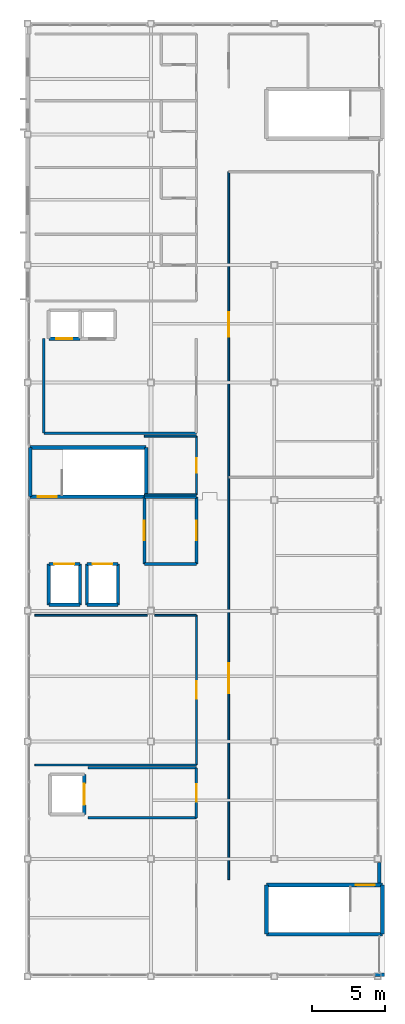
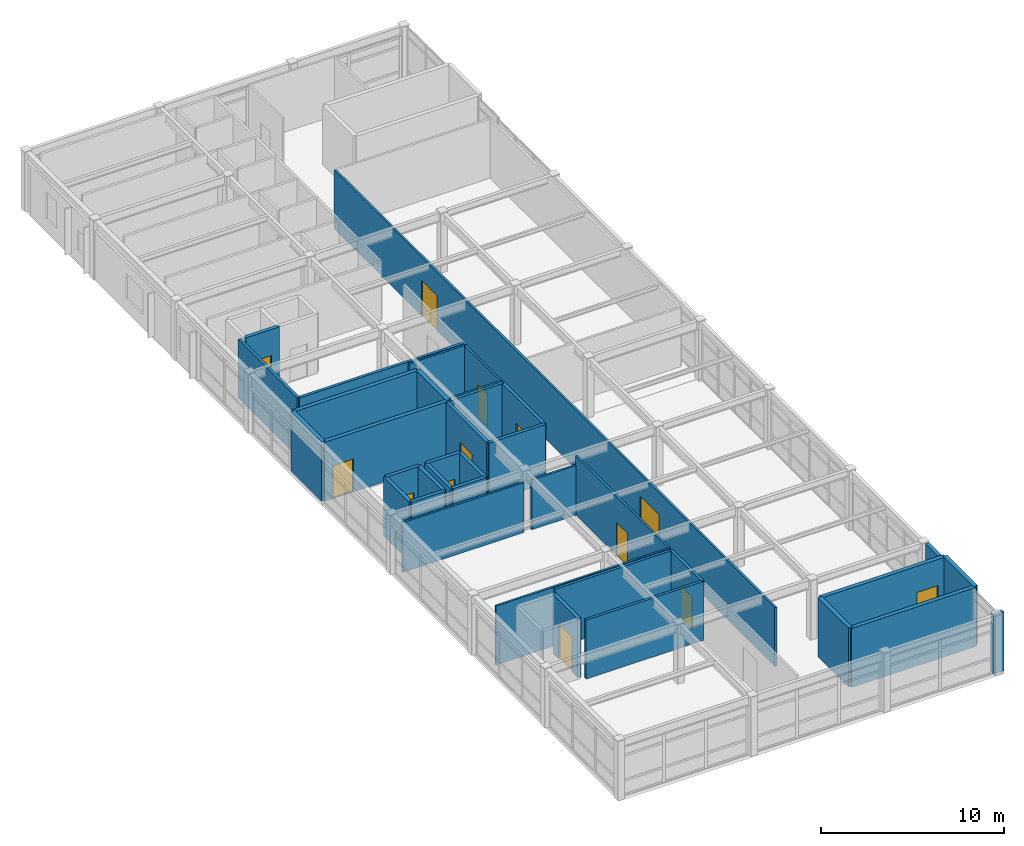
# One storey, part 31 of 34: 37 walls, 13 doors, 13 openings.
"""IFC4 building model written with IfcOpenShell, lengths in metres."""

from ifc_helpers import new_model, si_unit, direction, frame, frame_2d, origin, place, context, subcontext, project, spatial, rectangle, extrude, material, layer, layer_set, type_object, element, fill, save


model = new_model("IFC4")

# Units and contexts
model_context = context("Model", 3, precision=1e-05, world=origin(), true_north=direction((0.0, 1.0)))
body_context = subcontext(model_context, "Body", "Model", "MODEL_VIEW")
ifc_project = project(units=[si_unit("LENGTHUNIT", "METRE"), si_unit("AREAUNIT", "SQUARE_METRE"), si_unit("VOLUMEUNIT", "CUBIC_METRE"), si_unit("PLANEANGLEUNIT", "RADIAN"), si_unit("MASSUNIT", "GRAM", prefix="KILO")], contexts=[model_context])

# Site, building, storey
site_placement = place(None, origin())
site = spatial("IfcSite", under=ifc_project, at=site_placement, CompositionType="ELEMENT")
building_placement = place(site_placement, origin())
building = spatial("IfcBuilding", under=site, at=building_placement, Name="Kazehara Bluff Congress Hotel", CompositionType="ELEMENT")
storey_placement = place(building_placement, frame((0.0, 0.0, 46.199951171875)))
storey = spatial("IfcBuildingStorey", under=building, at=storey_placement, Name="L11", CompositionType="ELEMENT", Elevation=46.199951171875)

# Walls
ifc_material_1 = material(Name="Concrete C40/50", Category="concrete")
ifc_layer_1 = layer(ifc_material_1, 0.25)
ifc_layer_set_1 = layer_set([ifc_layer_1], Name="Concrete C40/50")
wall_type_1 = type_object("IfcWallType", Name="TP-CW-RC", PredefinedType="SHEAR", material=ifc_layer_set_1)
for number, where, z_axis, x_axis, name in (
    (1, (167.875, 22.22509765625, 0.0), (0.0, 0.0, 1.0), (0.0, -1.0, 0.0), "L11 ST-10 core wall near"),
    (2, (159.97509765625, 18.875, 0.0), (0.0, 0.0, 1.0), (0.0, 1.0, 0.0), "L11 ST-10 core wall far"),
):
    element("IfcWall", number, at=place(storey_placement, frame(where, z_axis=z_axis, x_axis=x_axis)), inside=storey, type_object=wall_type_1, Name=name, PredefinedType="SHEAR", context=body_context, shape_type="SweptSolid", body=[
        extrude(rectangle(XDim=3.35009765625, YDim=0.25, at=frame_2d((1.675048828125, 0.0))), origin(), (0.0, 0.0, 1.0), 3.949951171875),
    ])

# Wall, opening, door
wall_1_placement = place(storey_placement, frame((159.97509765625, 22.22509765625, 0.0), z_axis=(0.0, 0.0, 1.0), x_axis=(1.0, 0.0, 0.0)))
wall_1 = element("IfcWall", 3, at=wall_1_placement, inside=storey, type_object=wall_type_1, Name="L11 ST-10 core wall left", PredefinedType="SHEAR", context=body_context, shape_type="SweptSolid", body=[
    extrude(rectangle(XDim=7.89990234375, YDim=0.25, at=frame_2d((3.949951171875, 0.0))), origin(), (0.0, 0.0, 1.0), 3.949951171875),
])
opening_1_placement = place(wall_1_placement, frame((6.074951171875, 0.0, 0.0)))
opening_1 = element("IfcOpeningElement", 4, at=opening_1_placement, cuts=wall_1, Name="Opening FD-01", PredefinedType="OPENING", context=body_context, shape_type="SweptSolid", body=[
    extrude(rectangle(XDim=1.300048828125, YDim=2.199951171875, at=frame_2d((0.64990234375, 1.10009765625))), frame((0.0, 0.135009765625, 0.0), z_axis=(0.0, -1.0, 0.0), x_axis=(1.0, 0.0, 0.0)), (0.0, 0.0, 1.0), 0.27001953125),
])
ifc_material_2 = material(Name="Fire-rated painted steel leaf", Category="steel")
door_type_1 = type_object("IfcDoorType", Name="TP-FD-01", OperationType="NOTDEFINED", PredefinedType="DOOR", material=ifc_material_2)
door_1_placement = place(opening_1_placement, origin())
door_1 = element("IfcDoor", 5, at=door_1_placement, inside=storey, type_object=door_type_1, Name="L11 ST-10 fire stair door", OperationType="SINGLE_SWING_LEFT", OverallHeight=2.199951171875, OverallWidth=1.300048828125, PredefinedType="DOOR", context=body_context, shape_type="SweptSolid", body=[
    extrude(rectangle(XDim=1.300048828125, YDim=2.199951171875, at=frame_2d((0.64990234375, 1.10009765625))), frame((0.0, 0.02490234375, 0.0), z_axis=(0.0, -1.0, 0.0), x_axis=(1.0, 0.0, 0.0)), (0.0, 0.0, 1.0), 0.050048828125),
])
fill(opening_1, door_1)

# Walls
wall_2_placement = place(storey_placement, frame((167.875, 18.875, 0.0), z_axis=(0.0, 0.0, 1.0), x_axis=(-1.0, 0.0, 0.0)))
element("IfcWall", 6, at=wall_2_placement, inside=storey, type_object=wall_type_1, Name="L11 ST-10 core wall right", PredefinedType="SHEAR", context=body_context, shape_type="SweptSolid", body=[
    extrude(rectangle(XDim=7.89990234375, YDim=0.25, at=frame_2d((3.949951171875, 0.0))), origin(), (0.0, 0.0, 1.0), 3.949951171875),
])
for number, where, z_axis, x_axis, name in (
    (7, (143.875, 48.675048828125, 0.0), (0.0, 0.0, 1.0), (0.0, 1.0, 0.0), "L11 ST-11 core wall near"),
    (8, (151.77490234375, 52.02490234375, 0.0), (0.0, 0.0, 1.0), (0.0, -1.0, 0.0), "L11 ST-11 core wall far"),
):
    element("IfcWall", number, at=place(storey_placement, frame(where, z_axis=z_axis, x_axis=x_axis)), inside=storey, type_object=wall_type_1, Name=name, PredefinedType="SHEAR", context=body_context, shape_type="SweptSolid", body=[
        extrude(rectangle(XDim=3.349853515625, YDim=0.25, at=frame_2d((1.6748046875, 0.0))), origin(), (0.0, 0.0, 1.0), 3.949951171875),
    ])

# Wall, opening, door
wall_3_placement = place(storey_placement, frame((151.77490234375, 48.675048828125, 0.0), z_axis=(0.0, 0.0, 1.0), x_axis=(-1.0, 0.0, 0.0)))
wall_3 = element("IfcWall", 9, at=wall_3_placement, inside=storey, type_object=wall_type_1, Name="L11 ST-11 core wall left", PredefinedType="SHEAR", context=body_context, shape_type="SweptSolid", body=[
    extrude(rectangle(XDim=7.89990234375, YDim=0.25, at=frame_2d((3.949951171875, 0.0))), origin(), (0.0, 0.0, 1.0), 3.949951171875),
])
opening_2_placement = place(wall_3_placement, frame((6.074951171875, 0.0, 0.0)))
opening_2 = element("IfcOpeningElement", 10, at=opening_2_placement, cuts=wall_3, Name="Opening FD-01", PredefinedType="OPENING", context=body_context, shape_type="SweptSolid", body=[
    extrude(rectangle(XDim=1.300048828125, YDim=2.199951171875, at=frame_2d((0.64990234375, 1.10009765625))), frame((0.0, 0.135009765625, 0.0), z_axis=(0.0, -1.0, 0.0), x_axis=(1.0, 0.0, 0.0)), (0.0, 0.0, 1.0), 0.27001953125),
])
door_2_placement = place(opening_2_placement, origin())
door_2 = element("IfcDoor", 11, at=door_2_placement, inside=storey, type_object=door_type_1, Name="L11 ST-11 fire stair door", OperationType="SINGLE_SWING_RIGHT", OverallHeight=2.199951171875, OverallWidth=1.300048828125, PredefinedType="DOOR", context=body_context, shape_type="SweptSolid", body=[
    extrude(rectangle(XDim=1.300048828125, YDim=2.199951171875, at=frame_2d((0.64990234375, 1.10009765625))), frame((0.0, 0.02490234375, 0.0), z_axis=(0.0, -1.0, 0.0), x_axis=(1.0, 0.0, 0.0)), (0.0, 0.0, 1.0), 0.050048828125),
])
fill(opening_2, door_2)

# Walls
wall_4_placement = place(storey_placement, frame((143.875, 52.02490234375, 0.0), z_axis=(0.0, 0.0, 1.0), x_axis=(1.0, 0.0, 0.0)))
element("IfcWall", 12, at=wall_4_placement, inside=storey, type_object=wall_type_1, Name="L11 ST-11 core wall right", PredefinedType="SHEAR", context=body_context, shape_type="SweptSolid", body=[
    extrude(rectangle(XDim=7.89990234375, YDim=0.25, at=frame_2d((3.949951171875, 0.0))), origin(), (0.0, 0.0, 1.0), 3.949951171875),
])
ifc_material_3 = material(Name="Precast concrete C40/50", Category="concrete")
ifc_layer_2 = layer(ifc_material_3, 0.239990234375)
ifc_layer_set_2 = layer_set([ifc_layer_2], Name="Precast concrete C40/50")
wall_type_2 = type_object("IfcWallType", Name="TP-EW-240", PredefinedType="SOLIDWALL", material=ifc_layer_set_2)
wall_5_placement = place(storey_placement, frame((168.0, 16.10009765625, 0.0), z_axis=(0.0, 0.0, 1.0), x_axis=(-1.0, 0.0, 0.0)))
element("IfcWall", 13, at=wall_5_placement, inside=storey, type_object=wall_type_2, Name="L11 V5 perimeter spandrel pier 759", PredefinedType="SOLIDWALL", context=body_context, shape_type="SweptSolid", body=[
    extrude(rectangle(XDim=0.675048828125, YDim=0.239990234375, at=frame_2d((0.33740234375, 0.0))), origin(), (0.0, 0.0, 1.0), 3.93505859375),
])
wall_6_placement = place(storey_placement, frame((167.64990234375, 23.77490234375, 0.0), z_axis=(0.0, 0.0, 1.0), x_axis=(0.0, -1.0, 0.0)))
element("IfcWall", 14, at=wall_6_placement, inside=storey, type_object=wall_type_2, Name="L11 V5 perimeter spandrel pier 760", PredefinedType="SOLIDWALL", context=body_context, shape_type="SweptSolid", body=[
    extrude(rectangle(XDim=1.414794921875, YDim=0.239990234375, at=frame_2d((0.70751953125, 0.0))), origin(), (0.0, 0.0, 1.0), 3.93505859375),
])
ifc_material_4 = material(Name="Concrete C40/50", Category="concrete")
ifc_layer_3 = layer(ifc_material_4, 0.199951171875)
ifc_layer_set_3 = layer_set([ifc_layer_3], Name="Concrete C40/50")
wall_type_3 = type_object("IfcWallType", Name="TP-FW-RC", PredefinedType="SOLIDWALL", material=ifc_layer_set_3)
for number, where, z_axis, x_axis, name in (
    (15, (151.64990234375, 44.10009765625, 0.0), (0.0, 0.0, 1.0), (1.0, 0.0, 0.0), "L11 partition FW-RC 1421"),
    (16, (151.64990234375, 48.64990234375, 0.0), (0.0, 0.0, 1.0), (1.0, 0.0, 0.0), "L11 partition FW-RC 1422"),
):
    element("IfcWall", number, at=place(storey_placement, frame(where, z_axis=z_axis, x_axis=x_axis)), inside=storey, type_object=wall_type_3, Name=name, PredefinedType="SOLIDWALL", context=body_context, shape_type="SweptSolid", body=[
        extrude(rectangle(XDim=3.550048828125, YDim=0.199951171875, at=frame_2d((1.77490234375, 0.0))), origin(), (0.0, 0.0, 1.0), 3.93505859375),
    ])

# Wall, opening, door
wall_7_placement = place(storey_placement, frame((151.64990234375, 44.10009765625, 0.0), z_axis=(0.0, 0.0, 1.0), x_axis=(0.0, 1.0, 0.0)))
wall_7 = element("IfcWall", 17, at=wall_7_placement, inside=storey, type_object=wall_type_3, Name="L11 partition FW-RC 1439", PredefinedType="SOLIDWALL", context=body_context, shape_type="SweptSolid", body=[
    extrude(rectangle(XDim=4.5498046875, YDim=0.199951171875, at=frame_2d((2.27490234375, 0.0))), origin(), (0.0, 0.0, 1.0), 3.93505859375),
])
opening_3_placement = place(wall_7_placement, frame((1.625, 0.0, 0.0)))
opening_3 = element("IfcOpeningElement", 18, at=opening_3_placement, cuts=wall_7, Name="Opening FD-01", PredefinedType="OPENING", context=body_context, shape_type="SweptSolid", body=[
    extrude(rectangle(XDim=1.300048828125, YDim=2.199951171875, at=frame_2d((0.64990234375, 1.10009765625))), frame((0.0, 0.10986328125, 0.0), z_axis=(0.0, -1.0, 0.0), x_axis=(1.0, 0.0, 0.0)), (0.0, 0.0, 1.0), 0.219970703125),
])
door_3_placement = place(opening_3_placement, origin())
door_3 = element("IfcDoor", 19, at=door_3_placement, inside=storey, type_object=door_type_1, Name="L11 Emergency Firefighting Lobby door", OperationType="SINGLE_SWING_LEFT", OverallHeight=2.199951171875, OverallWidth=1.300048828125, PredefinedType="DOOR", context=body_context, shape_type="SweptSolid", body=[
    extrude(rectangle(XDim=1.300048828125, YDim=2.199951171875, at=frame_2d((0.64990234375, 1.10009765625))), frame((0.0, 0.02490234375, 0.0), z_axis=(0.0, -1.0, 0.0), x_axis=(1.0, 0.0, 0.0)), (0.0, 0.0, 1.0), 0.050048828125),
])
fill(opening_3, door_3)

wall_8_placement = place(storey_placement, frame((155.199951171875, 44.10009765625, 0.0), z_axis=(0.0, 0.0, 1.0), x_axis=(0.0, 1.0, 0.0)))
wall_8 = element("IfcWall", 20, at=wall_8_placement, inside=storey, type_object=wall_type_3, Name="L11 partition FW-RC 1447", PredefinedType="SOLIDWALL", context=body_context, shape_type="SweptSolid", body=[
    extrude(rectangle(XDim=4.5498046875, YDim=0.199951171875, at=frame_2d((2.27490234375, 0.0))), origin(), (0.0, 0.0, 1.0), 3.93505859375),
])
opening_4_placement = place(wall_8_placement, frame((1.625, 0.0, 0.0)))
opening_4 = element("IfcOpeningElement", 21, at=opening_4_placement, cuts=wall_8, Name="Opening FD-01", PredefinedType="OPENING", context=body_context, shape_type="SweptSolid", body=[
    extrude(rectangle(XDim=1.300048828125, YDim=2.199951171875, at=frame_2d((0.64990234375, 1.10009765625))), frame((0.0, 0.10986328125, 0.0), z_axis=(0.0, -1.0, 0.0), x_axis=(1.0, 0.0, 0.0)), (0.0, 0.0, 1.0), 0.219970703125),
])
door_4_placement = place(opening_4_placement, origin())
door_4 = element("IfcDoor", 22, at=door_4_placement, inside=storey, type_object=door_type_1, Name="L11 Smoke Vestibule Lobby door", OperationType="SINGLE_SWING_RIGHT", OverallHeight=2.199951171875, OverallWidth=1.300048828125, PredefinedType="DOOR", context=body_context, shape_type="SweptSolid", body=[
    extrude(rectangle(XDim=1.300048828125, YDim=2.199951171875, at=frame_2d((0.64990234375, 1.10009765625))), frame((0.0, 0.02490234375, 0.0), z_axis=(0.0, -1.0, 0.0), x_axis=(1.0, 0.0, 0.0)), (0.0, 0.0, 1.0), 0.050048828125),
])
fill(opening_4, door_4)

# Walls
ifc_material_5 = material(Name="Fire-rated gypsum board stud partition")
ifc_layer_4 = layer(ifc_material_5, 0.1298828125)
ifc_layer_set_4 = layer_set([ifc_layer_4], Name="Fire-rated gypsum board stud partition")
wall_type_4 = type_object("IfcWallType", Name="TP-PT-130", PredefinedType="PARTITIONING", material=ifc_layer_set_4)
wall_9_placement = place(storey_placement, frame((144.199951171875, 30.39990234375, 0.0), z_axis=(0.0, 0.0, 1.0), x_axis=(1.0, 0.0, 0.0)))
element("IfcWall", 23, at=wall_9_placement, inside=storey, type_object=wall_type_4, Name="L11 partition PT-130 1418", PredefinedType="PARTITIONING", context=body_context, shape_type="SweptSolid", body=[
    extrude(rectangle(XDim=11.0, YDim=0.1298828125, at=frame_2d((5.5, 0.0))), origin(), (0.0, 0.0, 1.0), 3.93505859375),
])
wall_10_placement = place(storey_placement, frame((144.199951171875, 40.60009765625, 0.0), z_axis=(0.0, 0.0, 1.0), x_axis=(1.0, 0.0, 0.0)))
element("IfcWall", 24, at=wall_10_placement, inside=storey, type_object=wall_type_4, Name="L11 partition PT-130 1419", PredefinedType="PARTITIONING", context=body_context, shape_type="SweptSolid", body=[
    extrude(rectangle(XDim=7.655029296875, YDim=0.1298828125, at=frame_2d((3.82763671875, 0.0))), origin(), (0.0, 0.0, 1.0), 3.324951171875),
])
wall_11_placement = place(storey_placement, frame((152.344970703125, 40.60009765625, 0.0), z_axis=(0.0, 0.0, 1.0), x_axis=(1.0, 0.0, 0.0)))
element("IfcWall", 25, at=wall_11_placement, inside=storey, type_object=wall_type_4, Name="L11 partition PT-130 1420", PredefinedType="PARTITIONING", context=body_context, shape_type="SweptSolid", body=[
    extrude(rectangle(XDim=2.85498046875, YDim=0.1298828125, at=frame_2d((1.427490234375, 0.0))), origin(), (0.0, 0.0, 1.0), 3.324951171875),
])
for number, where, z_axis, x_axis, name in (
    (26, (151.64990234375, 48.800048828125, 0.0), (0.0, 0.0, 1.0), (1.0, 0.0, 0.0), "L11 partition PT-130 1423"),
    (27, (151.64990234375, 52.800048828125, 0.0), (0.0, 0.0, 1.0), (1.0, 0.0, 0.0), "L11 partition PT-130 1425"),
):
    element("IfcWall", number, at=place(storey_placement, frame(where, z_axis=z_axis, x_axis=x_axis)), inside=storey, type_object=wall_type_4, Name=name, PredefinedType="PARTITIONING", context=body_context, shape_type="SweptSolid", body=[
        extrude(rectangle(XDim=3.550048828125, YDim=0.1298828125, at=frame_2d((1.77490234375, 0.0))), origin(), (0.0, 0.0, 1.0), 3.93505859375),
    ])

# Wall, opening, door
wall_12_placement = place(storey_placement, frame((155.199951171875, 30.39990234375, 0.0), z_axis=(0.0, 0.0, 1.0), x_axis=(0.0, 1.0, 0.0)))
wall_12 = element("IfcWall", 28, at=wall_12_placement, inside=storey, type_object=wall_type_4, Name="L11 partition PT-130 1446", PredefinedType="PARTITIONING", context=body_context, shape_type="SweptSolid", body=[
    extrude(rectangle(XDim=10.2001953125, YDim=0.1298828125, at=frame_2d((5.10009765625, 0.0))), origin(), (0.0, 0.0, 1.0), 3.93505859375),
])
opening_5_placement = place(wall_12_placement, frame((4.5, 0.0, 0.0)))
opening_5 = element("IfcOpeningElement", 29, at=opening_5_placement, cuts=wall_12, Name="Opening FD-02", PredefinedType="OPENING", context=body_context, shape_type="SweptSolid", body=[
    extrude(rectangle(XDim=1.199951171875, YDim=2.199951171875, at=frame_2d((0.60009765625, 1.10009765625))), frame((0.0, 0.074951171875, 0.0), z_axis=(0.0, -1.0, 0.0), x_axis=(1.0, 0.0, 0.0)), (0.0, 0.0, 1.0), 0.14990234375),
])
ifc_material_6 = material(Name="Fire-rated painted steel leaf", Category="steel")
door_type_2 = type_object("IfcDoorType", Name="TP-FD-02", OperationType="NOTDEFINED", PredefinedType="DOOR", material=ifc_material_6)
door_5_placement = place(opening_5_placement, origin())
door_5 = element("IfcDoor", 30, at=door_5_placement, inside=storey, type_object=door_type_2, Name="L11 Sky Restaurant Finishing Kitchen door", OperationType="SINGLE_SWING_RIGHT", OverallHeight=2.199951171875, OverallWidth=1.199951171875, PredefinedType="DOOR", context=body_context, shape_type="SweptSolid", body=[
    extrude(rectangle(XDim=1.199951171875, YDim=2.199951171875, at=frame_2d((0.60009765625, 1.10009765625))), frame((0.0, 0.02490234375, 0.0), z_axis=(0.0, -1.0, 0.0), x_axis=(1.0, 0.0, 0.0)), (0.0, 0.0, 1.0), 0.050048828125),
])
fill(opening_5, door_5)

wall_13_placement = place(storey_placement, frame((155.199951171875, 48.800048828125, 0.0), z_axis=(0.0, 0.0, 1.0), x_axis=(0.0, 1.0, 0.0)))
wall_13 = element("IfcWall", 31, at=wall_13_placement, inside=storey, type_object=wall_type_4, Name="L11 partition PT-130 1448", PredefinedType="PARTITIONING", context=body_context, shape_type="SweptSolid", body=[
    extrude(rectangle(XDim=4.0, YDim=0.1298828125, at=frame_2d((2.0, 0.0))), origin(), (0.0, 0.0, 1.0), 3.93505859375),
])
opening_6_placement = place(wall_13_placement, frame((1.5, 0.0, 0.0)))
opening_6 = element("IfcOpeningElement", 32, at=opening_6_placement, cuts=wall_13, Name="Opening ID-03", PredefinedType="OPENING", context=body_context, shape_type="SweptSolid", body=[
    extrude(rectangle(XDim=1.0, YDim=2.179931640625, at=frame_2d((0.5, 1.08984375))), frame((0.0, 0.074951171875, 0.0), z_axis=(0.0, -1.0, 0.0), x_axis=(1.0, 0.0, 0.0)), (0.0, 0.0, 1.0), 0.14990234375),
])
ifc_material_7 = material(Name="Architectural oak veneer leaf")
door_type_3 = type_object("IfcDoorType", Name="TP-ID-03", OperationType="NOTDEFINED", PredefinedType="DOOR", material=ifc_material_7)
door_6_placement = place(opening_6_placement, origin())
door_6 = element("IfcDoor", 33, at=door_6_placement, inside=storey, type_object=door_type_3, Name="L11 L11 Housekeeping and Linen Room door", OperationType="SINGLE_SWING_LEFT", OverallHeight=2.179931640625, OverallWidth=1.0, PredefinedType="DOOR", context=body_context, shape_type="SweptSolid", body=[
    extrude(rectangle(XDim=1.0, YDim=2.179931640625, at=frame_2d((0.5, 1.08984375))), frame((0.0, 0.02490234375, 0.0), z_axis=(0.0, -1.0, 0.0), x_axis=(1.0, 0.0, 0.0)), (0.0, 0.0, 1.0), 0.050048828125),
])
fill(opening_6, door_6)

# Wall, openings, doors
wall_14_placement = place(storey_placement, frame((157.39990234375, 22.60009765625, 0.0), z_axis=(0.0, 0.0, 1.0), x_axis=(0.0, 1.0, 0.0)))
wall_14 = element("IfcWall", 34, at=wall_14_placement, inside=storey, type_object=wall_type_4, Name="L11 partition PT-130 1451", PredefinedType="PARTITIONING", context=body_context, shape_type="SweptSolid", body=[
    extrude(rectangle(XDim=48.199951171875, YDim=0.1298828125, at=frame_2d((24.10009765625, 0.0))), origin(), (0.0, 0.0, 1.0), 3.93505859375),
])
opening_7_placement = place(wall_14_placement, frame((12.675048828125, 0.0, 0.0)))
opening_7 = element("IfcOpeningElement", 35, at=opening_7_placement, cuts=wall_14, Name="Opening AD-05", PredefinedType="OPENING", context=body_context, shape_type="SweptSolid", body=[
    extrude(rectangle(XDim=2.050048828125, YDim=2.449951171875, at=frame_2d((1.02490234375, 1.22509765625))), frame((0.0, 0.074951171875, 0.0), z_axis=(0.0, -1.0, 0.0), x_axis=(1.0, 0.0, 0.0)), (0.0, 0.0, 1.0), 0.14990234375),
])
opening_8_placement = place(wall_14_placement, frame((36.97509765625, 0.0, 0.0)))
opening_8 = element("IfcOpeningElement", 36, at=opening_8_placement, cuts=wall_14, Name="Opening AD-04", PredefinedType="OPENING", context=body_context, shape_type="SweptSolid", body=[
    extrude(rectangle(XDim=1.64990234375, YDim=2.35009765625, at=frame_2d((0.824951171875, 1.175048828125))), frame((0.0, 0.074951171875, 0.0), z_axis=(0.0, -1.0, 0.0), x_axis=(1.0, 0.0, 0.0)), (0.0, 0.0, 1.0), 0.14990234375),
])
ifc_material_8 = material(Name="Architectural oak veneer leaf")
door_type_4 = type_object("IfcDoorType", Name="TP-AD-04", OperationType="DOUBLE_DOOR_SINGLE_SWING", PredefinedType="DOOR", material=ifc_material_8)
door_7_placement = place(opening_8_placement, origin())
door_7 = element("IfcDoor", 37, at=door_7_placement, inside=storey, type_object=door_type_4, Name="L11 Panorama Bluff Sky Bar door", OperationType="DOUBLE_DOOR_SINGLE_SWING", OverallHeight=2.35009765625, OverallWidth=1.64990234375, PredefinedType="DOOR", context=body_context, shape_type="SweptSolid", body=[
    extrude(rectangle(XDim=1.64990234375, YDim=2.35009765625, at=frame_2d((0.824951171875, 1.175048828125))), frame((0.0, 0.02490234375, 0.0), z_axis=(0.0, -1.0, 0.0), x_axis=(1.0, 0.0, 0.0)), (0.0, 0.0, 1.0), 0.050048828125),
])
fill(opening_8, door_7)
ifc_material_9 = material(Name="Architectural oak veneer leaf")
door_type_5 = type_object("IfcDoorType", Name="TP-AD-05", OperationType="DOUBLE_DOOR_SINGLE_SWING", PredefinedType="DOOR", material=ifc_material_9)
door_8_placement = place(opening_7_placement, origin())
door_8 = element("IfcDoor", 38, at=door_8_placement, inside=storey, type_object=door_type_5, Name="L11 Uemachi Sky Specialty Restaurant door", OperationType="DOUBLE_DOOR_SINGLE_SWING", OverallHeight=2.449951171875, OverallWidth=2.050048828125, PredefinedType="DOOR", context=body_context, shape_type="SweptSolid", body=[
    extrude(rectangle(XDim=2.050048828125, YDim=2.449951171875, at=frame_2d((1.02490234375, 1.22509765625))), frame((0.0, 0.02490234375, 0.0), z_axis=(0.0, -1.0, 0.0), x_axis=(1.0, 0.0, 0.0)), (0.0, 0.0, 1.0), 0.050048828125),
])
fill(opening_7, door_8)

# Walls
ifc_material_10 = material(Name="Fire-rated gypsum board stud partition")
ifc_layer_5 = layer(ifc_material_10, 0.169921875)
ifc_layer_set_5 = layer_set([ifc_layer_5], Name="Fire-rated gypsum board stud partition")
wall_type_5 = type_object("IfcWallType", Name="TP-PT-180", PredefinedType="PARTITIONING", material=ifc_layer_set_5)
for number, where, z_axis, x_axis, name in (
    (39, (147.800048828125, 26.800048828125, 0.0), (0.0, 0.0, 1.0), (1.0, 0.0, 0.0), "L11 partition PT-180 1416"),
    (40, (147.800048828125, 30.199951171875, 0.0), (0.0, 0.0, 1.0), (1.0, 0.0, 0.0), "L11 partition PT-180 1417"),
):
    element("IfcWall", number, at=place(storey_placement, frame(where, z_axis=z_axis, x_axis=x_axis)), inside=storey, type_object=wall_type_5, Name=name, PredefinedType="PARTITIONING", context=body_context, shape_type="SweptSolid", body=[
        extrude(rectangle(XDim=7.39990234375, YDim=0.169921875, at=frame_2d((3.699951171875, 0.0))), origin(), (0.0, 0.0, 1.0), 3.93505859375),
    ])
wall_15_placement = place(storey_placement, frame((144.800048828125, 53.0, 0.0), z_axis=(0.0, 0.0, 1.0), x_axis=(1.0, 0.0, 0.0)))
element("IfcWall", 41, at=wall_15_placement, inside=storey, type_object=wall_type_5, Name="L11 partition PT-180 1426", PredefinedType="PARTITIONING", context=body_context, shape_type="SweptSolid", body=[
    extrude(rectangle(XDim=10.39990234375, YDim=0.169921875, at=frame_2d((5.199951171875, 0.0))), origin(), (0.0, 0.0, 1.0), 3.93505859375),
])
wall_16_placement = place(storey_placement, frame((144.800048828125, 53.0, 0.0), z_axis=(0.0, 0.0, 1.0), x_axis=(0.0, 1.0, 0.0)))
element("IfcWall", 42, at=wall_16_placement, inside=storey, type_object=wall_type_5, Name="L11 partition PT-180 1438", PredefinedType="PARTITIONING", context=body_context, shape_type="SweptSolid", body=[
    extrude(rectangle(XDim=6.449951171875, YDim=0.169921875, at=frame_2d((3.22509765625, 0.0))), origin(), (0.0, 0.0, 1.0), 3.93505859375),
])

# Wall, opening, door
wall_17_placement = place(storey_placement, frame((155.199951171875, 26.800048828125, 0.0), z_axis=(0.0, 0.0, 1.0), x_axis=(0.0, 1.0, 0.0)))
wall_17 = element("IfcWall", 43, at=wall_17_placement, inside=storey, type_object=wall_type_5, Name="L11 partition PT-180 1445", PredefinedType="PARTITIONING", context=body_context, shape_type="SweptSolid", body=[
    extrude(rectangle(XDim=3.39990234375, YDim=0.169921875, at=frame_2d((1.699951171875, 0.0))), origin(), (0.0, 0.0, 1.0), 3.93505859375),
])
opening_9_placement = place(wall_17_placement, frame((1.10009765625, 0.0, 0.0)))
opening_9 = element("IfcOpeningElement", 44, at=opening_9_placement, cuts=wall_17, Name="Opening FD-02", PredefinedType="OPENING", context=body_context, shape_type="SweptSolid", body=[
    extrude(rectangle(XDim=1.199951171875, YDim=2.199951171875, at=frame_2d((0.60009765625, 1.10009765625))), frame((0.0, 0.094970703125, 0.0), z_axis=(0.0, -1.0, 0.0), x_axis=(1.0, 0.0, 0.0)), (0.0, 0.0, 1.0), 0.18994140625),
])
door_9_placement = place(opening_9_placement, origin())
door_9 = element("IfcDoor", 45, at=door_9_placement, inside=storey, type_object=door_type_2, Name="L11 L11 Service Lift Lobby door", OperationType="SINGLE_SWING_RIGHT", OverallHeight=2.199951171875, OverallWidth=1.199951171875, PredefinedType="DOOR", context=body_context, shape_type="SweptSolid", body=[
    extrude(rectangle(XDim=1.199951171875, YDim=2.199951171875, at=frame_2d((0.60009765625, 1.10009765625))), frame((0.0, 0.02490234375, 0.0), z_axis=(0.0, -1.0, 0.0), x_axis=(1.0, 0.0, 0.0)), (0.0, 0.0, 1.0), 0.050048828125),
])
fill(opening_9, door_9)

ifc_material_11 = material(Name="Concrete C40/50", Category="concrete")
ifc_layer_6 = layer(ifc_material_11, 0.219970703125)
ifc_layer_set_6 = layer_set([ifc_layer_6], Name="Concrete C40/50")
wall_type_6 = type_object("IfcWallType", Name="TP-SW-RC", PredefinedType="SHEAR", material=ifc_layer_set_6)
wall_18_placement = place(storey_placement, frame((145.139892578125, 44.0849609375, 0.0), z_axis=(0.0, 0.0, 1.0), x_axis=(1.0, 0.0, 0.0)))
wall_18 = element("IfcWall", 46, at=wall_18_placement, inside=storey, type_object=wall_type_6, Name="L11 EL-E1 lift shaft wall +Y", PredefinedType="SHEAR", context=body_context, shape_type="SweptSolid", body=[
    extrude(rectangle(XDim=2.1201171875, YDim=0.219970703125, at=frame_2d((1.06005859375, 0.0))), origin(), (0.0, 0.0, 1.0), 3.949951171875),
])
opening_10_placement = place(wall_18_placement, frame((0.385009765625, 0.0, 0.0)))
opening_10 = element("IfcOpeningElement", 47, at=opening_10_placement, cuts=wall_18, Name="Opening LD-03", PredefinedType="OPENING", context=body_context, shape_type="SweptSolid", body=[
    extrude(rectangle(XDim=1.35009765625, YDim=2.300048828125, at=frame_2d((0.675048828125, 1.14990234375))), frame((0.0, 0.119873046875, 0.0), z_axis=(0.0, -1.0, 0.0), x_axis=(1.0, 0.0, 0.0)), (0.0, 0.0, 1.0), 0.239990234375),
])
ifc_material_12 = material(Name="Fire-rated painted steel leaf", Category="steel")
door_type_6 = type_object("IfcDoorType", Name="TP-LD-03", OperationType="SLIDING_TO_LEFT", PredefinedType="DOOR", material=ifc_material_12)
door_10_placement = place(opening_10_placement, origin())
door_10 = element("IfcDoor", 48, at=door_10_placement, inside=storey, type_object=door_type_6, Name="L11 EL-E1 elevator landing door", OperationType="SLIDING_TO_LEFT", OverallHeight=2.300048828125, OverallWidth=1.35009765625, PredefinedType="DOOR", context=body_context, shape_type="SweptSolid", body=[
    extrude(rectangle(XDim=1.35009765625, YDim=2.300048828125, at=frame_2d((0.675048828125, 1.14990234375))), frame((0.0, 0.02490234375, 0.0), z_axis=(0.0, -1.0, 0.0), x_axis=(1.0, 0.0, 0.0)), (0.0, 0.0, 1.0), 0.050048828125),
])
fill(opening_10, door_10)

# Walls
wall_19_placement = place(storey_placement, frame((145.139892578125, 41.31494140625, 0.0), z_axis=(0.0, 0.0, 1.0), x_axis=(1.0, 0.0, 0.0)))
element("IfcWall", 49, at=wall_19_placement, inside=storey, type_object=wall_type_6, Name="L11 EL-E1 lift shaft wall -Y", PredefinedType="SHEAR", context=body_context, shape_type="SweptSolid", body=[
    extrude(rectangle(XDim=2.1201171875, YDim=0.219970703125, at=frame_2d((1.06005859375, 0.0))), origin(), (0.0, 0.0, 1.0), 3.949951171875),
])
for number, where, z_axis, x_axis, name in (
    (50, (147.260009765625, 41.31494140625, 0.0), (0.0, 0.0, 1.0), (0.0, 1.0, 0.0), "L11 EL-E1 lift shaft wall +X"),
    (51, (145.139892578125, 41.31494140625, 0.0), (0.0, 0.0, 1.0), (0.0, 1.0, 0.0), "L11 EL-E1 lift shaft wall -X"),
):
    element("IfcWall", number, at=place(storey_placement, frame(where, z_axis=z_axis, x_axis=x_axis)), inside=storey, type_object=wall_type_6, Name=name, PredefinedType="SHEAR", context=body_context, shape_type="SweptSolid", body=[
        extrude(rectangle(XDim=2.77001953125, YDim=0.219970703125, at=frame_2d((1.385009765625, 0.0))), origin(), (0.0, 0.0, 1.0), 3.949951171875),
    ])

# Wall, opening, door
wall_20_placement = place(storey_placement, frame((147.739990234375, 44.0849609375, 0.0), z_axis=(0.0, 0.0, 1.0), x_axis=(1.0, 0.0, 0.0)))
wall_20 = element("IfcWall", 52, at=wall_20_placement, inside=storey, type_object=wall_type_6, Name="L11 EL-E2 lift shaft wall +Y", PredefinedType="SHEAR", context=body_context, shape_type="SweptSolid", body=[
    extrude(rectangle(XDim=2.1201171875, YDim=0.219970703125, at=frame_2d((1.06005859375, 0.0))), origin(), (0.0, 0.0, 1.0), 3.949951171875),
])
opening_11_placement = place(wall_20_placement, frame((0.385009765625, 0.0, 0.0)))
opening_11 = element("IfcOpeningElement", 53, at=opening_11_placement, cuts=wall_20, Name="Opening LD-03", PredefinedType="OPENING", context=body_context, shape_type="SweptSolid", body=[
    extrude(rectangle(XDim=1.35009765625, YDim=2.300048828125, at=frame_2d((0.675048828125, 1.14990234375))), frame((0.0, 0.119873046875, 0.0), z_axis=(0.0, -1.0, 0.0), x_axis=(1.0, 0.0, 0.0)), (0.0, 0.0, 1.0), 0.239990234375),
])
door_11_placement = place(opening_11_placement, origin())
door_11 = element("IfcDoor", 54, at=door_11_placement, inside=storey, type_object=door_type_6, Name="L11 EL-E2 elevator landing door", OperationType="SLIDING_TO_LEFT", OverallHeight=2.300048828125, OverallWidth=1.35009765625, PredefinedType="DOOR", context=body_context, shape_type="SweptSolid", body=[
    extrude(rectangle(XDim=1.35009765625, YDim=2.300048828125, at=frame_2d((0.675048828125, 1.14990234375))), frame((0.0, 0.02490234375, 0.0), z_axis=(0.0, -1.0, 0.0), x_axis=(1.0, 0.0, 0.0)), (0.0, 0.0, 1.0), 0.050048828125),
])
fill(opening_11, door_11)

# Walls
wall_21_placement = place(storey_placement, frame((147.739990234375, 41.31494140625, 0.0), z_axis=(0.0, 0.0, 1.0), x_axis=(1.0, 0.0, 0.0)))
element("IfcWall", 55, at=wall_21_placement, inside=storey, type_object=wall_type_6, Name="L11 EL-E2 lift shaft wall -Y", PredefinedType="SHEAR", context=body_context, shape_type="SweptSolid", body=[
    extrude(rectangle(XDim=2.1201171875, YDim=0.219970703125, at=frame_2d((1.06005859375, 0.0))), origin(), (0.0, 0.0, 1.0), 3.949951171875),
])
for number, where, z_axis, x_axis, name in (
    (56, (149.860107421875, 41.31494140625, 0.0), (0.0, 0.0, 1.0), (0.0, 1.0, 0.0), "L11 EL-E2 lift shaft wall +X"),
    (57, (147.739990234375, 41.31494140625, 0.0), (0.0, 0.0, 1.0), (0.0, 1.0, 0.0), "L11 EL-E2 lift shaft wall -X"),
):
    element("IfcWall", number, at=place(storey_placement, frame(where, z_axis=z_axis, x_axis=x_axis)), inside=storey, type_object=wall_type_6, Name=name, PredefinedType="SHEAR", context=body_context, shape_type="SweptSolid", body=[
        extrude(rectangle(XDim=2.77001953125, YDim=0.219970703125, at=frame_2d((1.385009765625, 0.0))), origin(), (0.0, 0.0, 1.0), 3.949951171875),
    ])

# Wall, opening, door
wall_22_placement = place(storey_placement, frame((145.139892578125, 59.43994140625, 0.0), z_axis=(0.0, 0.0, 1.0), x_axis=(1.0, 0.0, 0.0)))
wall_22 = element("IfcWall", 58, at=wall_22_placement, inside=storey, type_object=wall_type_6, Name="L11 EL-P1 lift shaft wall -Y", PredefinedType="SHEAR", context=body_context, shape_type="SweptSolid", body=[
    extrude(rectangle(XDim=2.1201171875, YDim=0.219970703125, at=frame_2d((1.06005859375, 0.0))), origin(), (0.0, 0.0, 1.0), 3.949951171875),
])
opening_12_placement = place(wall_22_placement, frame((0.510009765625, 0.0, 0.0)))
opening_12 = element("IfcOpeningElement", 59, at=opening_12_placement, cuts=wall_22, Name="Opening LD-01", PredefinedType="OPENING", context=body_context, shape_type="SweptSolid", body=[
    extrude(rectangle(XDim=1.10009765625, YDim=2.199951171875, at=frame_2d((0.550048828125, 1.10009765625))), frame((0.0, 0.119873046875, 0.0), z_axis=(0.0, -1.0, 0.0), x_axis=(1.0, 0.0, 0.0)), (0.0, 0.0, 1.0), 0.239990234375),
])
ifc_material_13 = material(Name="Fire-rated painted steel leaf", Category="steel")
door_type_7 = type_object("IfcDoorType", Name="TP-LD-01", OperationType="SLIDING_TO_LEFT", PredefinedType="DOOR", material=ifc_material_13)
door_12_placement = place(opening_12_placement, origin())
door_12 = element("IfcDoor", 60, at=door_12_placement, inside=storey, type_object=door_type_7, Name="L11 EL-P1 elevator landing door", OperationType="SLIDING_TO_LEFT", OverallHeight=2.199951171875, OverallWidth=1.10009765625, PredefinedType="DOOR", context=body_context, shape_type="SweptSolid", body=[
    extrude(rectangle(XDim=1.10009765625, YDim=2.199951171875, at=frame_2d((0.550048828125, 1.10009765625))), frame((0.0, 0.02490234375, 0.0), z_axis=(0.0, -1.0, 0.0), x_axis=(1.0, 0.0, 0.0)), (0.0, 0.0, 1.0), 0.050048828125),
])
fill(opening_12, door_12)

wall_23_placement = place(storey_placement, frame((147.56005859375, 27.0400390625, 0.0), z_axis=(0.0, 0.0, 1.0), x_axis=(0.0, 1.0, 0.0)))
wall_23 = element("IfcWall", 61, at=wall_23_placement, inside=storey, type_object=wall_type_6, Name="L11 EL-S3 lift shaft wall +X", PredefinedType="SHEAR", context=body_context, shape_type="SweptSolid", body=[
    extrude(rectangle(XDim=2.719970703125, YDim=0.219970703125, at=frame_2d((1.35986328125, 0.0))), origin(), (0.0, 0.0, 1.0), 3.949951171875),
])
opening_13_placement = place(wall_23_placement, frame((0.635009765625, 0.0, 0.0)))
opening_13 = element("IfcOpeningElement", 62, at=opening_13_placement, cuts=wall_23, Name="Opening LD-04", PredefinedType="OPENING", context=body_context, shape_type="SweptSolid", body=[
    extrude(rectangle(XDim=1.449951171875, YDim=2.35009765625, at=frame_2d((0.72509765625, 1.175048828125))), frame((0.0, 0.119873046875, 0.0), z_axis=(0.0, -1.0, 0.0), x_axis=(1.0, 0.0, 0.0)), (0.0, 0.0, 1.0), 0.239990234375),
])
ifc_material_14 = material(Name="Fire-rated painted steel leaf", Category="steel")
door_type_8 = type_object("IfcDoorType", Name="TP-LD-04", OperationType="SLIDING_TO_LEFT", PredefinedType="DOOR", material=ifc_material_14)
door_13_placement = place(opening_13_placement, origin())
door_13 = element("IfcDoor", 63, at=door_13_placement, inside=storey, type_object=door_type_8, Name="L11 EL-S3 elevator landing door", OperationType="SLIDING_TO_LEFT", OverallHeight=2.35009765625, OverallWidth=1.449951171875, PredefinedType="DOOR", context=body_context, shape_type="SweptSolid", body=[
    extrude(rectangle(XDim=1.449951171875, YDim=2.35009765625, at=frame_2d((0.72509765625, 1.175048828125))), frame((0.0, 0.02490234375, 0.0), z_axis=(0.0, -1.0, 0.0), x_axis=(1.0, 0.0, 0.0)), (0.0, 0.0, 1.0), 0.050048828125),
])
fill(opening_13, door_13)

save(model, "model.ifc")
